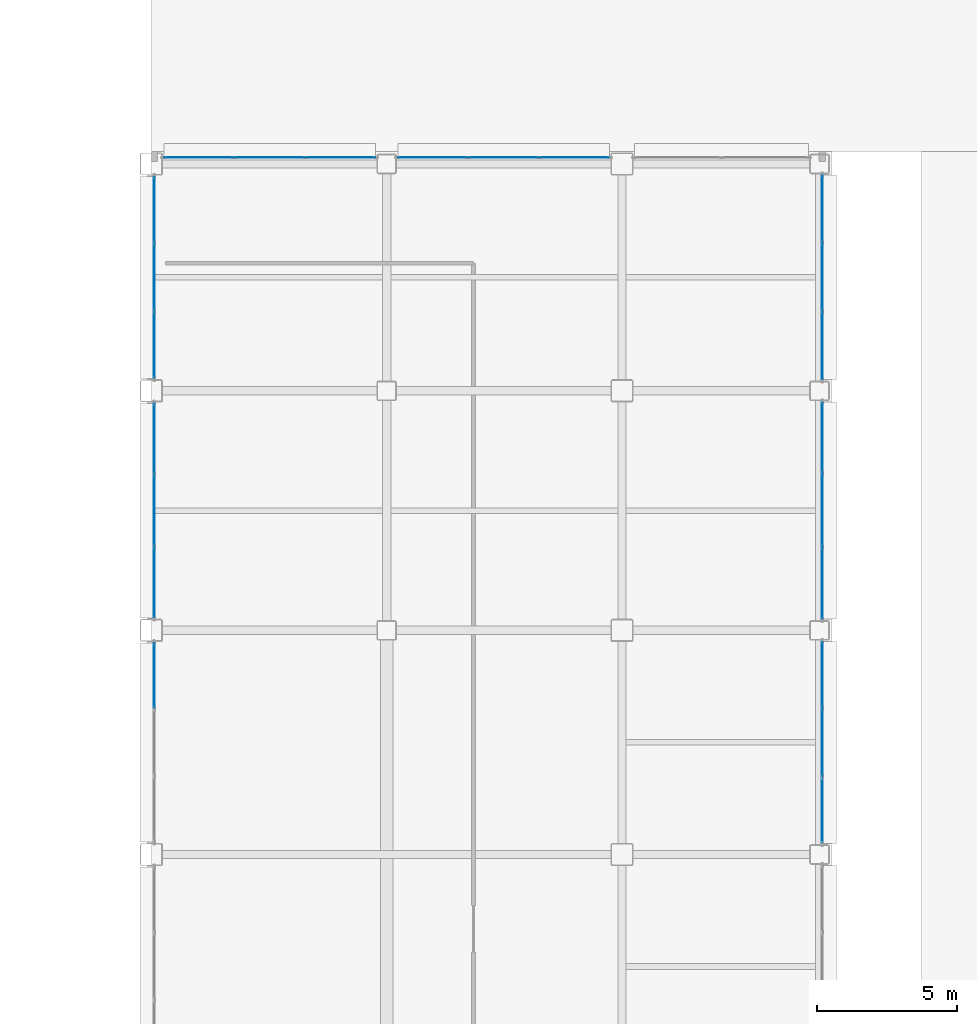
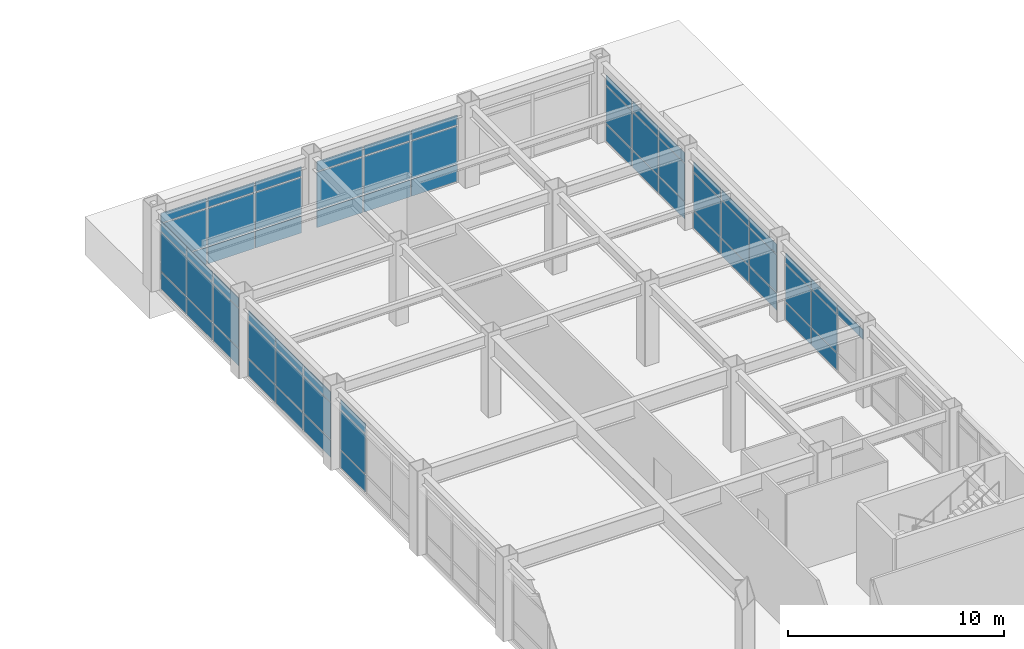
# One storey, part 138 of 172: 64 plates, 8 elements without a shape of their own.
"""IFC4 building model written with IfcOpenShell, lengths in metres."""

import ifcopenshell
import ifcopenshell.guid

model = None  # the IFC model being written
_history = None  # IfcOwnerHistory: only IFC2X3 demands one
_inside = {}  # id of a spatial element -> (the spatial element, [elements in it])
_under = {}  # id of a project, library or spatial element -> (it, [spatial elements below it])
_declared = {}  # id of a project -> (the project, [libraries it declares])
_typed = {}  # id of a type object -> (the type object, [elements of that type])
_made_of = {}  # id of a material, layer set ... -> (it, [elements and type objects made of it])


def new_model(schema):
    """Start an empty IFC model of exactly this schema.

    Asked for "IFC4X3", IfcOpenShell would pick the latest addendum, in which some entities
    have other attributes; the version numbers below select the first issue.
    IFC2X3 requires an IfcOwnerHistory on every rooted entity: one is made here for all.
    """
    global model, _history
    if schema == "IFC4X3":
        model = ifcopenshell.file(schema_version=(4, 3, 0, 0))
    else:
        model = ifcopenshell.file(schema=schema)
    _inside.clear()
    _under.clear()
    _declared.clear()
    _typed.clear()
    _made_of.clear()
    _history = None
    if model.schema == "IFC2X3":
        org = make("IfcOrganization", Name="unknown")
        user = make(
            "IfcPersonAndOrganization",
            ThePerson=make("IfcPerson", FamilyName="unknown"),
            TheOrganization=org,
        )
        app = make(
            "IfcApplication",
            ApplicationDeveloper=org,
            Version="unknown",
            ApplicationFullName="unknown",
            ApplicationIdentifier="unknown",
        )
        _history = make(
            "IfcOwnerHistory",
            OwningUser=user,
            OwningApplication=app,
            ChangeAction="ADDED",
            CreationDate=0,
        )
    return model


def make(cls, **values):
    """One entity of the class cls with the attributes given. An attribute that is None is left unset."""
    return model.create_entity(
        cls, **{name: value for name, value in values.items() if value is not None}
    )


def rooted(cls, **values):
    """An entity with a GlobalId (a new one), such as an element, a storey or a relation."""
    return make(cls, GlobalId=ifcopenshell.guid.new(), OwnerHistory=_history, **values)


def si_unit(unit_type, name, prefix=None):
    """IfcSIUnit, for example si_unit("LENGTHUNIT", "METRE", prefix="MILLI")."""
    return make("IfcSIUnit", UnitType=unit_type, Prefix=prefix, Name=name)


def assignment(units):
    """IfcUnitAssignment: the units of a project."""
    return None if units is None else make("IfcUnitAssignment", Units=units)


def point(xyz):
    """IfcCartesianPoint."""
    return None if xyz is None else make("IfcCartesianPoint", Coordinates=xyz)


def direction(xyz):
    """IfcDirection."""
    return None if xyz is None else make("IfcDirection", DirectionRatios=xyz)


def frame(location, z_axis=None, x_axis=None):
    """IfcAxis2Placement3D, a coordinate frame: its origin and axes. An axis left out is left unset."""
    return make(
        "IfcAxis2Placement3D",
        Location=point(location),
        Axis=direction(z_axis),
        RefDirection=direction(x_axis),
    )


def frame_2d(location, x_axis=None):
    """IfcAxis2Placement2D, a coordinate frame in the plane: its origin and x axis."""
    return make(
        "IfcAxis2Placement2D", Location=point(location), RefDirection=direction(x_axis)
    )


def origin():
    """The frame at (0, 0, 0) with its axes left unset."""
    return frame((0.0, 0.0, 0.0))


def origin_2d():
    """The frame at (0, 0) in the plane with its x axis left unset."""
    return frame_2d((0.0, 0.0))


def place(relative_to, where):
    """IfcLocalPlacement: puts the frame where relative to a parent placement (None: the world)."""
    return make(
        "IfcLocalPlacement", PlacementRelTo=relative_to, RelativePlacement=where
    )


def context(
    kind, dimensions, precision=None, world=None, true_north=None, identifier=None
):
    """IfcGeometricRepresentationContext, for example the 3D "Model" context."""
    return make(
        "IfcGeometricRepresentationContext",
        ContextIdentifier=identifier,
        ContextType=kind,
        CoordinateSpaceDimension=dimensions,
        Precision=precision,
        WorldCoordinateSystem=world,
        TrueNorth=true_north,
    )


def subcontext(parent, identifier, kind, view, scale=None):
    """IfcGeometricRepresentationSubContext, for example "Body" below "Model"."""
    return make(
        "IfcGeometricRepresentationSubContext",
        ContextIdentifier=identifier,
        ContextType=kind,
        ParentContext=parent,
        TargetScale=scale,
        TargetView=view,
    )


def project(units=None, contexts=None):
    """IfcProject with its units and contexts."""
    return rooted(
        "IfcProject",
        Name="project",
        RepresentationContexts=contexts,
        UnitsInContext=assignment(units),
    )


def spatial(cls, under=None, at=None, **own):
    """A site, building, storey or space (cls), placed at a placement, below another one or the project."""
    s = rooted(cls, ObjectPlacement=at, **own)
    if under is not None:
        _under.setdefault(under.id(), (under, []))[1].append(s)
    return s


def profile(cls, at=None, kind="AREA", **sizes):
    """A parametric profile (cls). Its sizes go by their IFC names, for example OverallWidth=200.0."""
    return make(cls, ProfileType=kind, Position=at, **sizes)


def rectangle(**sizes):
    """IfcRectangleProfileDef."""
    return profile("IfcRectangleProfileDef", **sizes)


def extrude(swept, where, along, depth):
    """IfcExtrudedAreaSolid: the profile swept, set in the frame where, extruded along a direction by depth."""
    return make(
        "IfcExtrudedAreaSolid",
        SweptArea=swept,
        Position=where,
        ExtrudedDirection=direction(along),
        Depth=depth,
    )


def shape(context_of_items, identifier, shape_type, items):
    """IfcShapeRepresentation: the items that make up one representation, for example the "Body"."""
    return make(
        "IfcShapeRepresentation",
        ContextOfItems=context_of_items,
        RepresentationIdentifier=identifier,
        RepresentationType=shape_type,
        Items=items,
    )


def material(Name=None, Category=None):
    """IfcMaterial."""
    return make("IfcMaterial", Name=Name, Category=Category)


def layer(
    of_material, thickness, ventilated=None, Name=None, Category=None, Priority=None
):
    """IfcMaterialLayer: one layer of a wall or slab, of a material (None: an air gap)."""
    return make(
        "IfcMaterialLayer",
        Material=of_material,
        LayerThickness=thickness,
        IsVentilated=ventilated,
        Name=Name,
        Category=Category,
        Priority=Priority,
    )


def layer_set(layers, Name=None):
    """IfcMaterialLayerSet."""
    return make("IfcMaterialLayerSet", MaterialLayers=layers, LayerSetName=Name)


def made_of(thing, what):
    """Note that an element or type object is made of a material, layer set ...; save() writes the relation."""
    if what is not None:
        _made_of.setdefault(what.id(), (what, []))[1].append(thing)
    return thing


def type_object(cls, material=None, **own):
    """A type object (cls), such as IfcWallType, which elements share."""
    return made_of(rooted(cls, **own), material)


def element(
    cls,
    number,
    at=None,
    inside=None,
    cuts=None,
    type_object=None,
    material=None,
    context=None,
    identifier="Body",
    shape_type=None,
    held_by="IfcProductDefinitionShape",
    body=None,
    shapes=None,
    **own,
):
    """One element of the class cls, such as IfcWall. Its Tag is "e" and its number.

    at: its placement. inside: the storey or other place that contains it. cuts: it is an
    opening in that element (IfcRelVoidsElement). A single representation is given by context,
    identifier, shape_type and body (its items); several are given by shapes. held_by: the class
    of the entity that holds the representations. save() writes the other relations.
    """
    e = rooted(cls, Tag="e%d" % number, ObjectPlacement=at, **own)
    if body is not None:
        shapes = [shape(context, identifier, shape_type, body)]
    if shapes is not None:
        e.Representation = make(held_by, Representations=shapes)
    if inside is not None:
        _inside.setdefault(inside.id(), (inside, []))[1].append(e)
    if cuts is not None:
        rooted(
            "IfcRelVoidsElement", RelatingBuildingElement=cuts, RelatedOpeningElement=e
        )
    if type_object is not None:
        _typed.setdefault(type_object.id(), (type_object, []))[1].append(e)
    return made_of(e, material)


def aggregate(whole, parts):
    """IfcRelAggregates: a whole, such as a stair, and the parts it consists of."""
    return rooted("IfcRelAggregates", RelatingObject=whole, RelatedObjects=parts)


def save(model, path):
    """Write the relations noted so far, then the file.

    IfcRelAggregates (storeys below a building ...), IfcRelContainedInSpatialStructure (elements
    in a storey), IfcRelDefinesByType, IfcRelAssociatesMaterial and IfcRelDeclares: one each for
    every whole, place, type object, material and project.
    """
    for whole, parts in _under.values():
        aggregate(whole, parts)
    for where, things in _inside.values():
        rooted(
            "IfcRelContainedInSpatialStructure",
            RelatedElements=things,
            RelatingStructure=where,
        )
    for kind, things in _typed.values():
        rooted("IfcRelDefinesByType", RelatedObjects=things, RelatingType=kind)
    for what, things in _made_of.values():
        rooted("IfcRelAssociatesMaterial", RelatedObjects=things, RelatingMaterial=what)
    for by, libraries in _declared.values():
        rooted("IfcRelDeclares", RelatingContext=by, RelatedDefinitions=libraries)
    model.write(path)


model = new_model("IFC4")

# Units and contexts
model_context = context("Model", 3, precision=1e-05, world=origin(), true_north=direction((0.0, 1.0)))
body_context = subcontext(model_context, "Body", "Model", "MODEL_VIEW")
ifc_project = project(units=[si_unit("LENGTHUNIT", "METRE"), si_unit("AREAUNIT", "SQUARE_METRE"), si_unit("VOLUMEUNIT", "CUBIC_METRE"), si_unit("PLANEANGLEUNIT", "RADIAN"), si_unit("MASSUNIT", "GRAM", prefix="KILO")], contexts=[model_context])

# Site, building, storey
site_placement = place(None, origin())
site = spatial("IfcSite", under=ifc_project, at=site_placement, CompositionType="ELEMENT")
building_placement = place(site_placement, origin())
building = spatial("IfcBuilding", under=site, at=building_placement, Name="Kazehara Bluff Congress Hotel", CompositionType="ELEMENT")
storey_placement = place(building_placement, frame((0.0, 0.0, 5.39990234375)))
storey = spatial("IfcBuildingStorey", under=building, at=storey_placement, Name="L01", CompositionType="ELEMENT", Elevation=5.39990234375)

# Curtain wall, plates
ifc_material_1 = material(Name="Anodised aluminium", Category="aluminium")
ifc_layer_1 = layer(ifc_material_1, 0.159912109375)
ifc_layer_set_1 = layer_set([ifc_layer_1], Name="Anodised aluminium")
curtain_wall_type_1 = type_object("IfcCurtainWallType", Name="TP-CW-80", PredefinedType="NOTDEFINED", material=ifc_layer_set_1)
curtain_wall_1_placement = place(storey_placement, origin())
curtain_wall_1 = element("IfcCurtainWall", 1, at=curtain_wall_1_placement, inside=storey, type_object=curtain_wall_type_1, Name="L01 curtain wall CW-80 CW-ENC-V5-L01-16765-9290", PredefinedType="NOTDEFINED")
ifc_material_2 = material(Name="Insulated low-E double glazing", Category="glass")
ifc_layer_2 = layer(ifc_material_2, 0.028076171875)
ifc_layer_set_2 = layer_set([ifc_layer_2], Name="Insulated low-E double glazing")
plate_type = type_object("IfcPlateType", Name="TP-CWP-01", PredefinedType="CURTAIN_PANEL", material=ifc_layer_set_2)
plate_1_placement = place(storey_placement, frame((167.64990234375, 95.317138671875, 0.06494140625), z_axis=(0.0, 0.0, 1.0), x_axis=(0.0, -1.0, 0.0)))
plate_1 = element("IfcPlate", 2, at=plate_1_placement, type_object=plate_type, Name="CW-80 panel 1.1", PredefinedType="CURTAIN_PANEL", context=body_context, shape_type="SweptSolid", body=[
    extrude(rectangle(XDim=2.3359375, YDim=0.028076171875, at=origin_2d()), origin(), (0.0, 0.0, 1.0), 0.952392578125),
])
plate_2_placement = place(storey_placement, frame((167.64990234375, 95.317138671875, 1.08251953125), z_axis=(0.0, 0.0, 1.0), x_axis=(0.0, -1.0, 0.0)))
plate_2 = element("IfcPlate", 3, at=plate_2_placement, type_object=plate_type, Name="CW-80 panel 1.2", PredefinedType="CURTAIN_PANEL", context=body_context, shape_type="SweptSolid", body=[
    extrude(rectangle(XDim=2.3359375, YDim=0.028076171875, at=origin_2d()), origin(), (0.0, 0.0, 1.0), 2.110107421875),
])
plate_3_placement = place(storey_placement, frame((167.64990234375, 95.317138671875, 3.2578125), z_axis=(0.0, 0.0, 1.0), x_axis=(0.0, -1.0, 0.0)))
plate_3 = element("IfcPlate", 4, at=plate_3_placement, type_object=plate_type, Name="CW-80 panel 1.3", PredefinedType="CURTAIN_PANEL", context=body_context, shape_type="SweptSolid", body=[
    extrude(rectangle(XDim=2.3359375, YDim=0.028076171875, at=origin_2d()), origin(), (0.0, 0.0, 1.0), 0.552490234375),
])
plate_4_placement = place(storey_placement, frame((167.64990234375, 92.89990234375, 0.06494140625), z_axis=(0.0, 0.0, 1.0), x_axis=(0.0, -1.0, 0.0)))
plate_4 = element("IfcPlate", 5, at=plate_4_placement, type_object=plate_type, Name="CW-80 panel 2.1", PredefinedType="CURTAIN_PANEL", context=body_context, shape_type="SweptSolid", body=[
    extrude(rectangle(XDim=2.368408203125, YDim=0.028076171875, at=origin_2d()), origin(), (0.0, 0.0, 1.0), 0.952392578125),
])
plate_5_placement = place(storey_placement, frame((167.64990234375, 92.89990234375, 1.08251953125), z_axis=(0.0, 0.0, 1.0), x_axis=(0.0, -1.0, 0.0)))
plate_5 = element("IfcPlate", 6, at=plate_5_placement, type_object=plate_type, Name="CW-80 panel 2.2", PredefinedType="CURTAIN_PANEL", context=body_context, shape_type="SweptSolid", body=[
    extrude(rectangle(XDim=2.368408203125, YDim=0.028076171875, at=origin_2d()), origin(), (0.0, 0.0, 1.0), 2.110107421875),
])
plate_6_placement = place(storey_placement, frame((167.64990234375, 92.89990234375, 3.2578125), z_axis=(0.0, 0.0, 1.0), x_axis=(0.0, -1.0, 0.0)))
plate_6 = element("IfcPlate", 7, at=plate_6_placement, type_object=plate_type, Name="CW-80 panel 2.3", PredefinedType="CURTAIN_PANEL", context=body_context, shape_type="SweptSolid", body=[
    extrude(rectangle(XDim=2.368408203125, YDim=0.028076171875, at=origin_2d()), origin(), (0.0, 0.0, 1.0), 0.552490234375),
])
plate_7_placement = place(storey_placement, frame((167.64990234375, 90.48291015625, 3.2578125), z_axis=(0.0, 0.0, 1.0), x_axis=(0.0, -1.0, 0.0)))
plate_7 = element("IfcPlate", 8, at=plate_7_placement, type_object=plate_type, Name="CW-80 panel 3.3", PredefinedType="CURTAIN_PANEL", context=body_context, shape_type="SweptSolid", body=[
    extrude(rectangle(XDim=2.3359375, YDim=0.028076171875, at=origin_2d()), origin(), (0.0, 0.0, 1.0), 0.552490234375),
])
aggregate(curtain_wall_1, [plate_1, plate_2, plate_3, plate_4, plate_5, plate_6, plate_7])

ifc_material_3 = material(Name="Anodised aluminium", Category="aluminium")
ifc_layer_3 = layer(ifc_material_3, 0.159912109375)
ifc_layer_set_3 = layer_set([ifc_layer_3], Name="Anodised aluminium")
curtain_wall_type_2 = type_object("IfcCurtainWallType", Name="TP-CW-117", PredefinedType="NOTDEFINED", material=ifc_layer_set_3)
curtain_wall_2_placement = place(storey_placement, origin())
curtain_wall_2 = element("IfcCurtainWall", 9, at=curtain_wall_2_placement, inside=storey, type_object=curtain_wall_type_2, Name="L01 curtain wall CW-117 CW-ENC-V5-L01-16765-10118", PredefinedType="NOTDEFINED")
plate_8_placement = place(storey_placement, frame((167.64990234375, 103.775390625, 0.06494140625), z_axis=(0.0, 0.0, 1.0), x_axis=(0.0, -1.0, 0.0)))
plate_8 = element("IfcPlate", 10, at=plate_8_placement, type_object=plate_type, Name="CW-117 panel 1.1", PredefinedType="CURTAIN_PANEL", context=body_context, shape_type="SweptSolid", body=[
    extrude(rectangle(XDim=2.519287109375, YDim=0.028076171875, at=origin_2d()), origin(), (0.0, 0.0, 1.0), 0.952392578125),
])
plate_9_placement = place(storey_placement, frame((167.64990234375, 103.775390625, 1.08251953125), z_axis=(0.0, 0.0, 1.0), x_axis=(0.0, -1.0, 0.0)))
plate_9 = element("IfcPlate", 11, at=plate_9_placement, type_object=plate_type, Name="CW-117 panel 1.2", PredefinedType="CURTAIN_PANEL", context=body_context, shape_type="SweptSolid", body=[
    extrude(rectangle(XDim=2.519287109375, YDim=0.028076171875, at=origin_2d()), origin(), (0.0, 0.0, 1.0), 2.110107421875),
])
plate_10_placement = place(storey_placement, frame((167.64990234375, 103.775390625, 3.2578125), z_axis=(0.0, 0.0, 1.0), x_axis=(0.0, -1.0, 0.0)))
plate_10 = element("IfcPlate", 12, at=plate_10_placement, type_object=plate_type, Name="CW-117 panel 1.3", PredefinedType="CURTAIN_PANEL", context=body_context, shape_type="SweptSolid", body=[
    extrude(rectangle(XDim=2.519287109375, YDim=0.028076171875, at=origin_2d()), origin(), (0.0, 0.0, 1.0), 0.552490234375),
])
plate_11_placement = place(storey_placement, frame((167.64990234375, 101.175048828125, 0.06494140625), z_axis=(0.0, 0.0, 1.0), x_axis=(0.0, -1.0, 0.0)))
plate_11 = element("IfcPlate", 13, at=plate_11_placement, type_object=plate_type, Name="CW-117 panel 2.1", PredefinedType="CURTAIN_PANEL", context=body_context, shape_type="SweptSolid", body=[
    extrude(rectangle(XDim=2.5517578125, YDim=0.028076171875, at=origin_2d()), origin(), (0.0, 0.0, 1.0), 0.952392578125),
])
plate_12_placement = place(storey_placement, frame((167.64990234375, 101.175048828125, 1.08251953125), z_axis=(0.0, 0.0, 1.0), x_axis=(0.0, -1.0, 0.0)))
plate_12 = element("IfcPlate", 14, at=plate_12_placement, type_object=plate_type, Name="CW-117 panel 2.2", PredefinedType="CURTAIN_PANEL", context=body_context, shape_type="SweptSolid", body=[
    extrude(rectangle(XDim=2.5517578125, YDim=0.028076171875, at=origin_2d()), origin(), (0.0, 0.0, 1.0), 2.110107421875),
])
plate_13_placement = place(storey_placement, frame((167.64990234375, 101.175048828125, 3.2578125), z_axis=(0.0, 0.0, 1.0), x_axis=(0.0, -1.0, 0.0)))
plate_13 = element("IfcPlate", 15, at=plate_13_placement, type_object=plate_type, Name="CW-117 panel 2.3", PredefinedType="CURTAIN_PANEL", context=body_context, shape_type="SweptSolid", body=[
    extrude(rectangle(XDim=2.5517578125, YDim=0.028076171875, at=origin_2d()), origin(), (0.0, 0.0, 1.0), 0.552490234375),
])
plate_14_placement = place(storey_placement, frame((167.64990234375, 98.574462890625, 0.06494140625), z_axis=(0.0, 0.0, 1.0), x_axis=(0.0, -1.0, 0.0)))
plate_14 = element("IfcPlate", 16, at=plate_14_placement, type_object=plate_type, Name="CW-117 panel 3.1", PredefinedType="CURTAIN_PANEL", context=body_context, shape_type="SweptSolid", body=[
    extrude(rectangle(XDim=2.519287109375, YDim=0.028076171875, at=origin_2d()), origin(), (0.0, 0.0, 1.0), 0.952392578125),
])
plate_15_placement = place(storey_placement, frame((167.64990234375, 98.574462890625, 1.08251953125), z_axis=(0.0, 0.0, 1.0), x_axis=(0.0, -1.0, 0.0)))
plate_15 = element("IfcPlate", 17, at=plate_15_placement, type_object=plate_type, Name="CW-117 panel 3.2", PredefinedType="CURTAIN_PANEL", context=body_context, shape_type="SweptSolid", body=[
    extrude(rectangle(XDim=2.519287109375, YDim=0.028076171875, at=origin_2d()), origin(), (0.0, 0.0, 1.0), 2.110107421875),
])
plate_16_placement = place(storey_placement, frame((167.64990234375, 98.574462890625, 3.2578125), z_axis=(0.0, 0.0, 1.0), x_axis=(0.0, -1.0, 0.0)))
plate_16 = element("IfcPlate", 18, at=plate_16_placement, type_object=plate_type, Name="CW-117 panel 3.3", PredefinedType="CURTAIN_PANEL", context=body_context, shape_type="SweptSolid", body=[
    extrude(rectangle(XDim=2.519287109375, YDim=0.028076171875, at=origin_2d()), origin(), (0.0, 0.0, 1.0), 0.552490234375),
])
aggregate(curtain_wall_2, [plate_8, plate_9, plate_10, plate_11, plate_12, plate_13, plate_14, plate_15, plate_16])

ifc_material_4 = material(Name="Anodised aluminium", Category="aluminium")
ifc_layer_4 = layer(ifc_material_4, 0.159912109375)
ifc_layer_set_4 = layer_set([ifc_layer_4], Name="Anodised aluminium")
curtain_wall_type_3 = type_object("IfcCurtainWallType", Name="TP-CW-34", PredefinedType="NOTDEFINED", material=ifc_layer_set_4)
curtain_wall_3_placement = place(storey_placement, origin())
curtain_wall_3 = element("IfcCurtainWall", 19, at=curtain_wall_3_placement, inside=storey, type_object=curtain_wall_type_3, Name="L01 curtain wall CW-34 CW-ENC-V5-L01-16765-10950", PredefinedType="NOTDEFINED")
plate_17_placement = place(storey_placement, frame((167.64990234375, 111.950439453125, 0.06494140625), z_axis=(0.0, 0.0, 1.0), x_axis=(0.0, -1.0, 0.0)))
plate_17 = element("IfcPlate", 20, at=plate_17_placement, type_object=plate_type, Name="CW-34 panel 1.1", PredefinedType="CURTAIN_PANEL", context=body_context, shape_type="SweptSolid", body=[
    extrude(rectangle(XDim=2.369140625, YDim=0.028076171875, at=origin_2d()), origin(), (0.0, 0.0, 1.0), 0.952392578125),
])
plate_18_placement = place(storey_placement, frame((167.64990234375, 111.950439453125, 1.08251953125), z_axis=(0.0, 0.0, 1.0), x_axis=(0.0, -1.0, 0.0)))
plate_18 = element("IfcPlate", 21, at=plate_18_placement, type_object=plate_type, Name="CW-34 panel 1.2", PredefinedType="CURTAIN_PANEL", context=body_context, shape_type="SweptSolid", body=[
    extrude(rectangle(XDim=2.369140625, YDim=0.028076171875, at=origin_2d()), origin(), (0.0, 0.0, 1.0), 2.110107421875),
])
plate_19_placement = place(storey_placement, frame((167.64990234375, 111.950439453125, 3.2578125), z_axis=(0.0, 0.0, 1.0), x_axis=(0.0, -1.0, 0.0)))
plate_19 = element("IfcPlate", 22, at=plate_19_placement, type_object=plate_type, Name="CW-34 panel 1.3", PredefinedType="CURTAIN_PANEL", context=body_context, shape_type="SweptSolid", body=[
    extrude(rectangle(XDim=2.369140625, YDim=0.028076171875, at=origin_2d()), origin(), (0.0, 0.0, 1.0), 0.552490234375),
])
plate_20_placement = place(storey_placement, frame((167.64990234375, 109.5, 0.06494140625), z_axis=(0.0, 0.0, 1.0), x_axis=(0.0, -1.0, 0.0)))
plate_20 = element("IfcPlate", 23, at=plate_20_placement, type_object=plate_type, Name="CW-34 panel 2.1", PredefinedType="CURTAIN_PANEL", context=body_context, shape_type="SweptSolid", body=[
    extrude(rectangle(XDim=2.401611328125, YDim=0.028076171875, at=origin_2d()), origin(), (0.0, 0.0, 1.0), 0.952392578125),
])
plate_21_placement = place(storey_placement, frame((167.64990234375, 109.5, 1.08251953125), z_axis=(0.0, 0.0, 1.0), x_axis=(0.0, -1.0, 0.0)))
plate_21 = element("IfcPlate", 24, at=plate_21_placement, type_object=plate_type, Name="CW-34 panel 2.2", PredefinedType="CURTAIN_PANEL", context=body_context, shape_type="SweptSolid", body=[
    extrude(rectangle(XDim=2.401611328125, YDim=0.028076171875, at=origin_2d()), origin(), (0.0, 0.0, 1.0), 2.110107421875),
])
plate_22_placement = place(storey_placement, frame((167.64990234375, 109.5, 3.2578125), z_axis=(0.0, 0.0, 1.0), x_axis=(0.0, -1.0, 0.0)))
plate_22 = element("IfcPlate", 25, at=plate_22_placement, type_object=plate_type, Name="CW-34 panel 2.3", PredefinedType="CURTAIN_PANEL", context=body_context, shape_type="SweptSolid", body=[
    extrude(rectangle(XDim=2.401611328125, YDim=0.028076171875, at=origin_2d()), origin(), (0.0, 0.0, 1.0), 0.552490234375),
])
plate_23_placement = place(storey_placement, frame((167.64990234375, 107.049560546875, 0.06494140625), z_axis=(0.0, 0.0, 1.0), x_axis=(0.0, -1.0, 0.0)))
plate_23 = element("IfcPlate", 26, at=plate_23_placement, type_object=plate_type, Name="CW-34 panel 3.1", PredefinedType="CURTAIN_PANEL", context=body_context, shape_type="SweptSolid", body=[
    extrude(rectangle(XDim=2.369140625, YDim=0.028076171875, at=origin_2d()), origin(), (0.0, 0.0, 1.0), 0.952392578125),
])
plate_24_placement = place(storey_placement, frame((167.64990234375, 107.049560546875, 1.08251953125), z_axis=(0.0, 0.0, 1.0), x_axis=(0.0, -1.0, 0.0)))
plate_24 = element("IfcPlate", 27, at=plate_24_placement, type_object=plate_type, Name="CW-34 panel 3.2", PredefinedType="CURTAIN_PANEL", context=body_context, shape_type="SweptSolid", body=[
    extrude(rectangle(XDim=2.369140625, YDim=0.028076171875, at=origin_2d()), origin(), (0.0, 0.0, 1.0), 2.110107421875),
])
plate_25_placement = place(storey_placement, frame((167.64990234375, 107.049560546875, 3.2578125), z_axis=(0.0, 0.0, 1.0), x_axis=(0.0, -1.0, 0.0)))
plate_25 = element("IfcPlate", 28, at=plate_25_placement, type_object=plate_type, Name="CW-34 panel 3.3", PredefinedType="CURTAIN_PANEL", context=body_context, shape_type="SweptSolid", body=[
    extrude(rectangle(XDim=2.369140625, YDim=0.028076171875, at=origin_2d()), origin(), (0.0, 0.0, 1.0), 0.552490234375),
])
aggregate(curtain_wall_3, [plate_17, plate_18, plate_19, plate_20, plate_21, plate_22, plate_23, plate_24, plate_25])

ifc_material_5 = material(Name="Anodised aluminium", Category="aluminium")
ifc_layer_5 = layer(ifc_material_5, 0.159912109375)
ifc_layer_set_5 = layer_set([ifc_layer_5], Name="Anodised aluminium")
curtain_wall_type_4 = type_object("IfcCurtainWallType", Name="TP-CW-22", PredefinedType="NOTDEFINED", material=ifc_layer_set_5)
curtain_wall_4_placement = place(storey_placement, origin())
curtain_wall_4 = element("IfcCurtainWall", 29, at=curtain_wall_4_placement, inside=storey, type_object=curtain_wall_type_4, Name="L01 curtain wall CW-22 CW-ENC-V5-L01-14793-11378", PredefinedType="NOTDEFINED")
plate_26_placement = place(storey_placement, frame((145.391357421875, 113.780029296875, 0.06494140625), z_axis=(0.0, 0.0, 1.0), x_axis=(1.0, 0.0, 0.0)))
plate_26 = element("IfcPlate", 30, at=plate_26_placement, type_object=plate_type, Name="CW-22 panel 1.1", PredefinedType="CURTAIN_PANEL", context=body_context, shape_type="SweptSolid", body=[
    extrude(rectangle(XDim=2.452392578125, YDim=0.028076171875, at=origin_2d()), origin(), (0.0, 0.0, 1.0), 0.952392578125),
])
plate_27_placement = place(storey_placement, frame((145.391357421875, 113.780029296875, 1.08251953125), z_axis=(0.0, 0.0, 1.0), x_axis=(1.0, 0.0, 0.0)))
plate_27 = element("IfcPlate", 31, at=plate_27_placement, type_object=plate_type, Name="CW-22 panel 1.2", PredefinedType="CURTAIN_PANEL", context=body_context, shape_type="SweptSolid", body=[
    extrude(rectangle(XDim=2.452392578125, YDim=0.028076171875, at=origin_2d()), origin(), (0.0, 0.0, 1.0), 2.110107421875),
])
plate_28_placement = place(storey_placement, frame((145.391357421875, 113.780029296875, 3.2578125), z_axis=(0.0, 0.0, 1.0), x_axis=(1.0, 0.0, 0.0)))
plate_28 = element("IfcPlate", 32, at=plate_28_placement, type_object=plate_type, Name="CW-22 panel 1.3", PredefinedType="CURTAIN_PANEL", context=body_context, shape_type="SweptSolid", body=[
    extrude(rectangle(XDim=2.452392578125, YDim=0.028076171875, at=origin_2d()), origin(), (0.0, 0.0, 1.0), 0.552490234375),
])
plate_29_placement = place(storey_placement, frame((147.925048828125, 113.780029296875, 0.06494140625), z_axis=(0.0, 0.0, 1.0), x_axis=(1.0, 0.0, 0.0)))
plate_29 = element("IfcPlate", 33, at=plate_29_placement, type_object=plate_type, Name="CW-22 panel 2.1", PredefinedType="CURTAIN_PANEL", context=body_context, shape_type="SweptSolid", body=[
    extrude(rectangle(XDim=2.485107421875, YDim=0.028076171875, at=origin_2d()), origin(), (0.0, 0.0, 1.0), 0.952392578125),
])
plate_30_placement = place(storey_placement, frame((147.925048828125, 113.780029296875, 1.08251953125), z_axis=(0.0, 0.0, 1.0), x_axis=(1.0, 0.0, 0.0)))
plate_30 = element("IfcPlate", 34, at=plate_30_placement, type_object=plate_type, Name="CW-22 panel 2.2", PredefinedType="CURTAIN_PANEL", context=body_context, shape_type="SweptSolid", body=[
    extrude(rectangle(XDim=2.485107421875, YDim=0.028076171875, at=origin_2d()), origin(), (0.0, 0.0, 1.0), 2.110107421875),
])
plate_31_placement = place(storey_placement, frame((147.925048828125, 113.780029296875, 3.2578125), z_axis=(0.0, 0.0, 1.0), x_axis=(1.0, 0.0, 0.0)))
plate_31 = element("IfcPlate", 35, at=plate_31_placement, type_object=plate_type, Name="CW-22 panel 2.3", PredefinedType="CURTAIN_PANEL", context=body_context, shape_type="SweptSolid", body=[
    extrude(rectangle(XDim=2.485107421875, YDim=0.028076171875, at=origin_2d()), origin(), (0.0, 0.0, 1.0), 0.552490234375),
])
plate_32_placement = place(storey_placement, frame((150.458740234375, 113.780029296875, 0.06494140625), z_axis=(0.0, 0.0, 1.0), x_axis=(1.0, 0.0, 0.0)))
plate_32 = element("IfcPlate", 36, at=plate_32_placement, type_object=plate_type, Name="CW-22 panel 3.1", PredefinedType="CURTAIN_PANEL", context=body_context, shape_type="SweptSolid", body=[
    extrude(rectangle(XDim=2.452392578125, YDim=0.028076171875, at=origin_2d()), origin(), (0.0, 0.0, 1.0), 0.952392578125),
])
plate_33_placement = place(storey_placement, frame((150.458740234375, 113.780029296875, 1.08251953125), z_axis=(0.0, 0.0, 1.0), x_axis=(1.0, 0.0, 0.0)))
plate_33 = element("IfcPlate", 37, at=plate_33_placement, type_object=plate_type, Name="CW-22 panel 3.2", PredefinedType="CURTAIN_PANEL", context=body_context, shape_type="SweptSolid", body=[
    extrude(rectangle(XDim=2.452392578125, YDim=0.028076171875, at=origin_2d()), origin(), (0.0, 0.0, 1.0), 2.110107421875),
])
plate_34_placement = place(storey_placement, frame((150.458740234375, 113.780029296875, 3.2578125), z_axis=(0.0, 0.0, 1.0), x_axis=(1.0, 0.0, 0.0)))
plate_34 = element("IfcPlate", 38, at=plate_34_placement, type_object=plate_type, Name="CW-22 panel 3.3", PredefinedType="CURTAIN_PANEL", context=body_context, shape_type="SweptSolid", body=[
    extrude(rectangle(XDim=2.452392578125, YDim=0.028076171875, at=origin_2d()), origin(), (0.0, 0.0, 1.0), 0.552490234375),
])
aggregate(curtain_wall_4, [plate_26, plate_27, plate_28, plate_29, plate_30, plate_31, plate_32, plate_33, plate_34])

curtain_wall_5_placement = place(storey_placement, origin())
curtain_wall_5 = element("IfcCurtainWall", 39, at=curtain_wall_5_placement, inside=storey, type_object=curtain_wall_type_4, Name="L01 curtain wall CW-22 CW-ENC-V5-L01-15627-11378", PredefinedType="NOTDEFINED")
plate_35_placement = place(storey_placement, frame((153.7412109375, 113.780029296875, 0.06494140625), z_axis=(0.0, 0.0, 1.0), x_axis=(1.0, 0.0, 0.0)))
plate_35 = element("IfcPlate", 40, at=plate_35_placement, type_object=plate_type, Name="CW-22 panel 1.1", PredefinedType="CURTAIN_PANEL", context=body_context, shape_type="SweptSolid", body=[
    extrude(rectangle(XDim=2.452392578125, YDim=0.028076171875, at=origin_2d()), origin(), (0.0, 0.0, 1.0), 0.952392578125),
])
plate_36_placement = place(storey_placement, frame((153.7412109375, 113.780029296875, 1.08251953125), z_axis=(0.0, 0.0, 1.0), x_axis=(1.0, 0.0, 0.0)))
plate_36 = element("IfcPlate", 41, at=plate_36_placement, type_object=plate_type, Name="CW-22 panel 1.2", PredefinedType="CURTAIN_PANEL", context=body_context, shape_type="SweptSolid", body=[
    extrude(rectangle(XDim=2.452392578125, YDim=0.028076171875, at=origin_2d()), origin(), (0.0, 0.0, 1.0), 2.110107421875),
])
plate_37_placement = place(storey_placement, frame((153.7412109375, 113.780029296875, 3.2578125), z_axis=(0.0, 0.0, 1.0), x_axis=(1.0, 0.0, 0.0)))
plate_37 = element("IfcPlate", 42, at=plate_37_placement, type_object=plate_type, Name="CW-22 panel 1.3", PredefinedType="CURTAIN_PANEL", context=body_context, shape_type="SweptSolid", body=[
    extrude(rectangle(XDim=2.452392578125, YDim=0.028076171875, at=origin_2d()), origin(), (0.0, 0.0, 1.0), 0.552490234375),
])
plate_38_placement = place(storey_placement, frame((156.27490234375, 113.780029296875, 0.06494140625), z_axis=(0.0, 0.0, 1.0), x_axis=(1.0, 0.0, 0.0)))
plate_38 = element("IfcPlate", 43, at=plate_38_placement, type_object=plate_type, Name="CW-22 panel 2.1", PredefinedType="CURTAIN_PANEL", context=body_context, shape_type="SweptSolid", body=[
    extrude(rectangle(XDim=2.485107421875, YDim=0.028076171875, at=origin_2d()), origin(), (0.0, 0.0, 1.0), 0.952392578125),
])
plate_39_placement = place(storey_placement, frame((156.27490234375, 113.780029296875, 1.08251953125), z_axis=(0.0, 0.0, 1.0), x_axis=(1.0, 0.0, 0.0)))
plate_39 = element("IfcPlate", 44, at=plate_39_placement, type_object=plate_type, Name="CW-22 panel 2.2", PredefinedType="CURTAIN_PANEL", context=body_context, shape_type="SweptSolid", body=[
    extrude(rectangle(XDim=2.485107421875, YDim=0.028076171875, at=origin_2d()), origin(), (0.0, 0.0, 1.0), 2.110107421875),
])
plate_40_placement = place(storey_placement, frame((156.27490234375, 113.780029296875, 3.2578125), z_axis=(0.0, 0.0, 1.0), x_axis=(1.0, 0.0, 0.0)))
plate_40 = element("IfcPlate", 45, at=plate_40_placement, type_object=plate_type, Name="CW-22 panel 2.3", PredefinedType="CURTAIN_PANEL", context=body_context, shape_type="SweptSolid", body=[
    extrude(rectangle(XDim=2.485107421875, YDim=0.028076171875, at=origin_2d()), origin(), (0.0, 0.0, 1.0), 0.552490234375),
])
plate_41_placement = place(storey_placement, frame((158.808837890625, 113.780029296875, 0.06494140625), z_axis=(0.0, 0.0, 1.0), x_axis=(1.0, 0.0, 0.0)))
plate_41 = element("IfcPlate", 46, at=plate_41_placement, type_object=plate_type, Name="CW-22 panel 3.1", PredefinedType="CURTAIN_PANEL", context=body_context, shape_type="SweptSolid", body=[
    extrude(rectangle(XDim=2.452392578125, YDim=0.028076171875, at=origin_2d()), origin(), (0.0, 0.0, 1.0), 0.952392578125),
])
plate_42_placement = place(storey_placement, frame((158.808837890625, 113.780029296875, 1.08251953125), z_axis=(0.0, 0.0, 1.0), x_axis=(1.0, 0.0, 0.0)))
plate_42 = element("IfcPlate", 47, at=plate_42_placement, type_object=plate_type, Name="CW-22 panel 3.2", PredefinedType="CURTAIN_PANEL", context=body_context, shape_type="SweptSolid", body=[
    extrude(rectangle(XDim=2.452392578125, YDim=0.028076171875, at=origin_2d()), origin(), (0.0, 0.0, 1.0), 2.110107421875),
])
plate_43_placement = place(storey_placement, frame((158.808837890625, 113.780029296875, 3.2578125), z_axis=(0.0, 0.0, 1.0), x_axis=(1.0, 0.0, 0.0)))
plate_43 = element("IfcPlate", 48, at=plate_43_placement, type_object=plate_type, Name="CW-22 panel 3.3", PredefinedType="CURTAIN_PANEL", context=body_context, shape_type="SweptSolid", body=[
    extrude(rectangle(XDim=2.452392578125, YDim=0.028076171875, at=origin_2d()), origin(), (0.0, 0.0, 1.0), 0.552490234375),
])
aggregate(curtain_wall_5, [plate_35, plate_36, plate_37, plate_38, plate_39, plate_40, plate_41, plate_42, plate_43])

ifc_material_6 = material(Name="Anodised aluminium", Category="aluminium")
ifc_layer_6 = layer(ifc_material_6, 0.159912109375)
ifc_layer_set_6 = layer_set([ifc_layer_6], Name="Anodised aluminium")
curtain_wall_type_5 = type_object("IfcCurtainWallType", Name="TP-CW-120", PredefinedType="NOTDEFINED", material=ifc_layer_set_6)
curtain_wall_6_placement = place(storey_placement, origin())
curtain_wall_6 = element("IfcCurtainWall", 49, at=curtain_wall_6_placement, inside=storey, type_object=curtain_wall_type_5, Name="L01 curtain wall CW-120 CW-ENC-V5-L01-14380-9290", PredefinedType="NOTDEFINED")
plate_44_placement = place(storey_placement, frame((143.800048828125, 95.28369140625, 0.06494140625), z_axis=(0.0, 0.0, 1.0), x_axis=(0.0, 1.0, 0.0)))
plate_44 = element("IfcPlate", 50, at=plate_44_placement, type_object=plate_type, Name="CW-120 panel 3.1", PredefinedType="CURTAIN_PANEL", context=body_context, shape_type="SweptSolid", body=[
    extrude(rectangle(XDim=2.302490234375, YDim=0.028076171875, at=origin_2d()), origin(), (0.0, 0.0, 1.0), 0.952392578125),
])
plate_45_placement = place(storey_placement, frame((143.800048828125, 95.28369140625, 1.08251953125), z_axis=(0.0, 0.0, 1.0), x_axis=(0.0, 1.0, 0.0)))
plate_45 = element("IfcPlate", 51, at=plate_45_placement, type_object=plate_type, Name="CW-120 panel 3.2", PredefinedType="CURTAIN_PANEL", context=body_context, shape_type="SweptSolid", body=[
    extrude(rectangle(XDim=2.302490234375, YDim=0.028076171875, at=origin_2d()), origin(), (0.0, 0.0, 1.0), 2.2099609375),
])
plate_46_placement = place(storey_placement, frame((143.800048828125, 95.28369140625, 3.357421875), z_axis=(0.0, 0.0, 1.0), x_axis=(0.0, 1.0, 0.0)))
plate_46 = element("IfcPlate", 52, at=plate_46_placement, type_object=plate_type, Name="CW-120 panel 3.3", PredefinedType="CURTAIN_PANEL", context=body_context, shape_type="SweptSolid", body=[
    extrude(rectangle(XDim=2.302490234375, YDim=0.028076171875, at=origin_2d()), origin(), (0.0, 0.0, 1.0), 0.552490234375),
])
aggregate(curtain_wall_6, [plate_44, plate_45, plate_46])

ifc_material_7 = material(Name="Anodised aluminium", Category="aluminium")
ifc_layer_7 = layer(ifc_material_7, 0.159912109375)
ifc_layer_set_7 = layer_set([ifc_layer_7], Name="Anodised aluminium")
curtain_wall_type_6 = type_object("IfcCurtainWallType", Name="TP-CW-123", PredefinedType="NOTDEFINED", material=ifc_layer_set_7)
curtain_wall_7_placement = place(storey_placement, origin())
curtain_wall_7 = element("IfcCurtainWall", 53, at=curtain_wall_7_placement, inside=storey, type_object=curtain_wall_type_6, Name="L01 curtain wall CW-123 CW-ENC-V5-L01-14380-10118", PredefinedType="NOTDEFINED")
plate_47_placement = place(storey_placement, frame((143.800048828125, 98.60791015625, 0.06494140625), z_axis=(0.0, 0.0, 1.0), x_axis=(0.0, 1.0, 0.0)))
plate_47 = element("IfcPlate", 54, at=plate_47_placement, type_object=plate_type, Name="CW-123 panel 1.1", PredefinedType="CURTAIN_PANEL", context=body_context, shape_type="SweptSolid", body=[
    extrude(rectangle(XDim=2.48583984375, YDim=0.028076171875, at=origin_2d()), origin(), (0.0, 0.0, 1.0), 0.952392578125),
])
plate_48_placement = place(storey_placement, frame((143.800048828125, 98.60791015625, 1.08251953125), z_axis=(0.0, 0.0, 1.0), x_axis=(0.0, 1.0, 0.0)))
plate_48 = element("IfcPlate", 55, at=plate_48_placement, type_object=plate_type, Name="CW-123 panel 1.2", PredefinedType="CURTAIN_PANEL", context=body_context, shape_type="SweptSolid", body=[
    extrude(rectangle(XDim=2.48583984375, YDim=0.028076171875, at=origin_2d()), origin(), (0.0, 0.0, 1.0), 2.06005859375),
])
plate_49_placement = place(storey_placement, frame((143.800048828125, 98.60791015625, 3.20751953125), z_axis=(0.0, 0.0, 1.0), x_axis=(0.0, 1.0, 0.0)))
plate_49 = element("IfcPlate", 56, at=plate_49_placement, type_object=plate_type, Name="CW-123 panel 1.3", PredefinedType="CURTAIN_PANEL", context=body_context, shape_type="SweptSolid", body=[
    extrude(rectangle(XDim=2.48583984375, YDim=0.028076171875, at=origin_2d()), origin(), (0.0, 0.0, 1.0), 0.552490234375),
])
plate_50_placement = place(storey_placement, frame((143.800048828125, 101.175048828125, 0.06494140625), z_axis=(0.0, 0.0, 1.0), x_axis=(0.0, 1.0, 0.0)))
plate_50 = element("IfcPlate", 57, at=plate_50_placement, type_object=plate_type, Name="CW-123 panel 2.1", PredefinedType="CURTAIN_PANEL", context=body_context, shape_type="SweptSolid", body=[
    extrude(rectangle(XDim=2.518310546875, YDim=0.028076171875, at=origin_2d()), origin(), (0.0, 0.0, 1.0), 0.952392578125),
])
plate_51_placement = place(storey_placement, frame((143.800048828125, 101.175048828125, 1.08251953125), z_axis=(0.0, 0.0, 1.0), x_axis=(0.0, 1.0, 0.0)))
plate_51 = element("IfcPlate", 58, at=plate_51_placement, type_object=plate_type, Name="CW-123 panel 2.2", PredefinedType="CURTAIN_PANEL", context=body_context, shape_type="SweptSolid", body=[
    extrude(rectangle(XDim=2.518310546875, YDim=0.028076171875, at=origin_2d()), origin(), (0.0, 0.0, 1.0), 2.06005859375),
])
plate_52_placement = place(storey_placement, frame((143.800048828125, 101.175048828125, 3.20751953125), z_axis=(0.0, 0.0, 1.0), x_axis=(0.0, 1.0, 0.0)))
plate_52 = element("IfcPlate", 59, at=plate_52_placement, type_object=plate_type, Name="CW-123 panel 2.3", PredefinedType="CURTAIN_PANEL", context=body_context, shape_type="SweptSolid", body=[
    extrude(rectangle(XDim=2.518310546875, YDim=0.028076171875, at=origin_2d()), origin(), (0.0, 0.0, 1.0), 0.552490234375),
])
plate_53_placement = place(storey_placement, frame((143.800048828125, 103.7421875, 0.06494140625), z_axis=(0.0, 0.0, 1.0), x_axis=(0.0, 1.0, 0.0)))
plate_53 = element("IfcPlate", 60, at=plate_53_placement, type_object=plate_type, Name="CW-123 panel 3.1", PredefinedType="CURTAIN_PANEL", context=body_context, shape_type="SweptSolid", body=[
    extrude(rectangle(XDim=2.48583984375, YDim=0.028076171875, at=origin_2d()), origin(), (0.0, 0.0, 1.0), 0.952392578125),
])
plate_54_placement = place(storey_placement, frame((143.800048828125, 103.7421875, 1.08251953125), z_axis=(0.0, 0.0, 1.0), x_axis=(0.0, 1.0, 0.0)))
plate_54 = element("IfcPlate", 61, at=plate_54_placement, type_object=plate_type, Name="CW-123 panel 3.2", PredefinedType="CURTAIN_PANEL", context=body_context, shape_type="SweptSolid", body=[
    extrude(rectangle(XDim=2.48583984375, YDim=0.028076171875, at=origin_2d()), origin(), (0.0, 0.0, 1.0), 2.06005859375),
])
plate_55_placement = place(storey_placement, frame((143.800048828125, 103.7421875, 3.20751953125), z_axis=(0.0, 0.0, 1.0), x_axis=(0.0, 1.0, 0.0)))
plate_55 = element("IfcPlate", 62, at=plate_55_placement, type_object=plate_type, Name="CW-123 panel 3.3", PredefinedType="CURTAIN_PANEL", context=body_context, shape_type="SweptSolid", body=[
    extrude(rectangle(XDim=2.48583984375, YDim=0.028076171875, at=origin_2d()), origin(), (0.0, 0.0, 1.0), 0.552490234375),
])
aggregate(curtain_wall_7, [plate_47, plate_48, plate_49, plate_50, plate_51, plate_52, plate_53, plate_54, plate_55])

ifc_material_8 = material(Name="Anodised aluminium", Category="aluminium")
ifc_layer_8 = layer(ifc_material_8, 0.159912109375)
ifc_layer_set_8 = layer_set([ifc_layer_8], Name="Anodised aluminium")
curtain_wall_type_7 = type_object("IfcCurtainWallType", Name="TP-CW-124", PredefinedType="NOTDEFINED", material=ifc_layer_set_8)
curtain_wall_8_placement = place(storey_placement, origin())
curtain_wall_8 = element("IfcCurtainWall", 63, at=curtain_wall_8_placement, inside=storey, type_object=curtain_wall_type_7, Name="L01 curtain wall CW-124 CW-ENC-V5-L01-14380-10950", PredefinedType="NOTDEFINED")
plate_56_placement = place(storey_placement, frame((143.800048828125, 107.0830078125, 0.06494140625), z_axis=(0.0, 0.0, 1.0), x_axis=(0.0, 1.0, 0.0)))
plate_56 = element("IfcPlate", 64, at=plate_56_placement, type_object=plate_type, Name="CW-124 panel 1.1", PredefinedType="CURTAIN_PANEL", context=body_context, shape_type="SweptSolid", body=[
    extrude(rectangle(XDim=2.3359375, YDim=0.028076171875, at=origin_2d()), origin(), (0.0, 0.0, 1.0), 0.952392578125),
])
plate_57_placement = place(storey_placement, frame((143.800048828125, 107.0830078125, 1.08251953125), z_axis=(0.0, 0.0, 1.0), x_axis=(0.0, 1.0, 0.0)))
plate_57 = element("IfcPlate", 65, at=plate_57_placement, type_object=plate_type, Name="CW-124 panel 1.2", PredefinedType="CURTAIN_PANEL", context=body_context, shape_type="SweptSolid", body=[
    extrude(rectangle(XDim=2.3359375, YDim=0.028076171875, at=origin_2d()), origin(), (0.0, 0.0, 1.0), 2.2099609375),
])
plate_58_placement = place(storey_placement, frame((143.800048828125, 107.0830078125, 3.357421875), z_axis=(0.0, 0.0, 1.0), x_axis=(0.0, 1.0, 0.0)))
plate_58 = element("IfcPlate", 66, at=plate_58_placement, type_object=plate_type, Name="CW-124 panel 1.3", PredefinedType="CURTAIN_PANEL", context=body_context, shape_type="SweptSolid", body=[
    extrude(rectangle(XDim=2.3359375, YDim=0.028076171875, at=origin_2d()), origin(), (0.0, 0.0, 1.0), 0.552490234375),
])
plate_59_placement = place(storey_placement, frame((143.800048828125, 109.5, 0.06494140625), z_axis=(0.0, 0.0, 1.0), x_axis=(0.0, 1.0, 0.0)))
plate_59 = element("IfcPlate", 67, at=plate_59_placement, type_object=plate_type, Name="CW-124 panel 2.1", PredefinedType="CURTAIN_PANEL", context=body_context, shape_type="SweptSolid", body=[
    extrude(rectangle(XDim=2.368408203125, YDim=0.028076171875, at=origin_2d()), origin(), (0.0, 0.0, 1.0), 0.952392578125),
])
plate_60_placement = place(storey_placement, frame((143.800048828125, 109.5, 1.08251953125), z_axis=(0.0, 0.0, 1.0), x_axis=(0.0, 1.0, 0.0)))
plate_60 = element("IfcPlate", 68, at=plate_60_placement, type_object=plate_type, Name="CW-124 panel 2.2", PredefinedType="CURTAIN_PANEL", context=body_context, shape_type="SweptSolid", body=[
    extrude(rectangle(XDim=2.368408203125, YDim=0.028076171875, at=origin_2d()), origin(), (0.0, 0.0, 1.0), 2.2099609375),
])
plate_61_placement = place(storey_placement, frame((143.800048828125, 109.5, 3.357421875), z_axis=(0.0, 0.0, 1.0), x_axis=(0.0, 1.0, 0.0)))
plate_61 = element("IfcPlate", 69, at=plate_61_placement, type_object=plate_type, Name="CW-124 panel 2.3", PredefinedType="CURTAIN_PANEL", context=body_context, shape_type="SweptSolid", body=[
    extrude(rectangle(XDim=2.368408203125, YDim=0.028076171875, at=origin_2d()), origin(), (0.0, 0.0, 1.0), 0.552490234375),
])
plate_62_placement = place(storey_placement, frame((143.800048828125, 111.9169921875, 0.06494140625), z_axis=(0.0, 0.0, 1.0), x_axis=(0.0, 1.0, 0.0)))
plate_62 = element("IfcPlate", 70, at=plate_62_placement, type_object=plate_type, Name="CW-124 panel 3.1", PredefinedType="CURTAIN_PANEL", context=body_context, shape_type="SweptSolid", body=[
    extrude(rectangle(XDim=2.3359375, YDim=0.028076171875, at=origin_2d()), origin(), (0.0, 0.0, 1.0), 0.952392578125),
])
plate_63_placement = place(storey_placement, frame((143.800048828125, 111.9169921875, 1.08251953125), z_axis=(0.0, 0.0, 1.0), x_axis=(0.0, 1.0, 0.0)))
plate_63 = element("IfcPlate", 71, at=plate_63_placement, type_object=plate_type, Name="CW-124 panel 3.2", PredefinedType="CURTAIN_PANEL", context=body_context, shape_type="SweptSolid", body=[
    extrude(rectangle(XDim=2.3359375, YDim=0.028076171875, at=origin_2d()), origin(), (0.0, 0.0, 1.0), 2.2099609375),
])
plate_64_placement = place(storey_placement, frame((143.800048828125, 111.9169921875, 3.357421875), z_axis=(0.0, 0.0, 1.0), x_axis=(0.0, 1.0, 0.0)))
plate_64 = element("IfcPlate", 72, at=plate_64_placement, type_object=plate_type, Name="CW-124 panel 3.3", PredefinedType="CURTAIN_PANEL", context=body_context, shape_type="SweptSolid", body=[
    extrude(rectangle(XDim=2.3359375, YDim=0.028076171875, at=origin_2d()), origin(), (0.0, 0.0, 1.0), 0.552490234375),
])
aggregate(curtain_wall_8, [plate_56, plate_57, plate_58, plate_59, plate_60, plate_61, plate_62, plate_63, plate_64])

save(model, "model.ifc")
